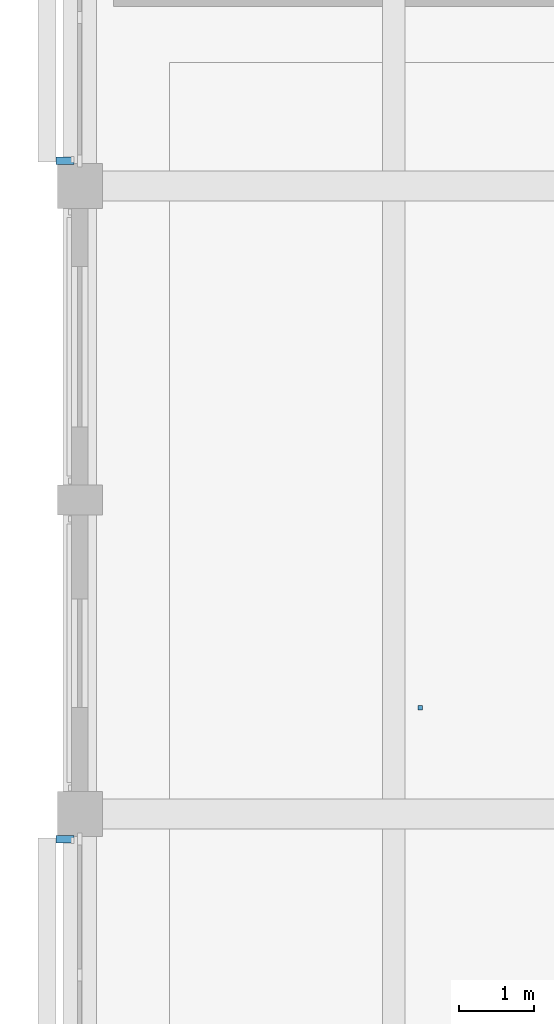
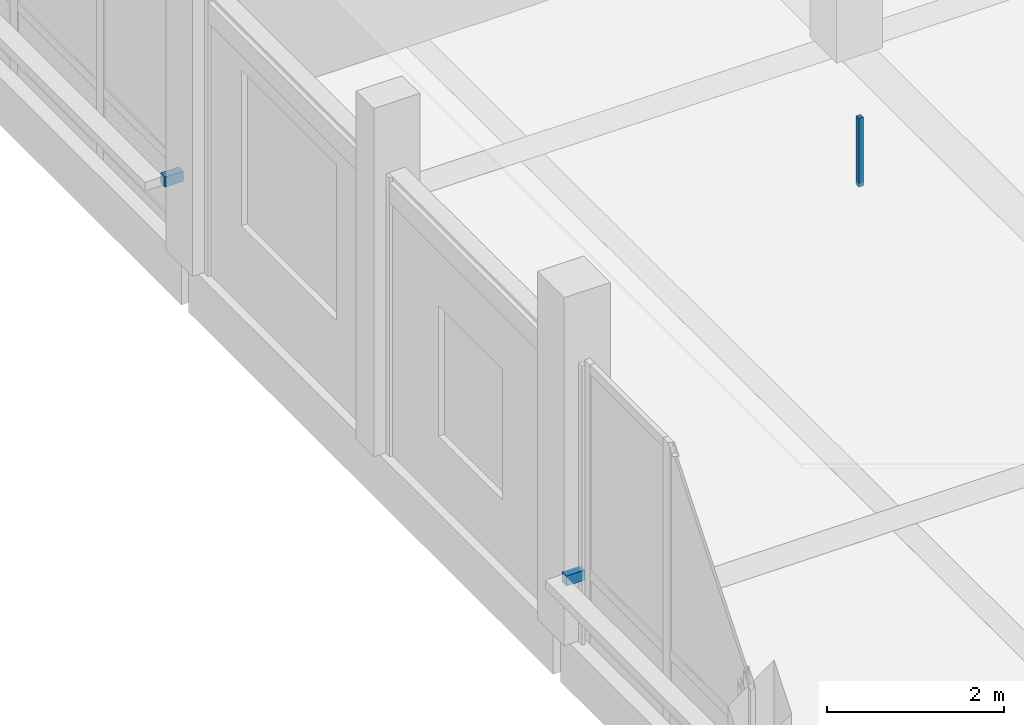
# One storey, part 62 of 122: 3 discrete accessories.
"""IFC4 building model written with IfcOpenShell, lengths in metres."""

from ifc_helpers import new_model, si_unit, direction, frame, origin, origin_2d, place, context, subcontext, project, spatial, rectangle, extrude, material, type_object, element, save


model = new_model("IFC4")

# Units and contexts
model_context = context("Model", 3, precision=1e-05, world=origin(), true_north=direction((0.0, 1.0)))
body_context = subcontext(model_context, "Body", "Model", "MODEL_VIEW")
ifc_project = project(units=[si_unit("LENGTHUNIT", "METRE"), si_unit("AREAUNIT", "SQUARE_METRE"), si_unit("VOLUMEUNIT", "CUBIC_METRE"), si_unit("PLANEANGLEUNIT", "RADIAN"), si_unit("MASSUNIT", "GRAM", prefix="KILO")], contexts=[model_context])

# Site, building, storey
site_placement = place(None, origin())
site = spatial("IfcSite", under=ifc_project, at=site_placement, CompositionType="ELEMENT")
building_placement = place(site_placement, origin())
building = spatial("IfcBuilding", under=site, at=building_placement, Name="Telukmera Botanical Conservatory", CompositionType="ELEMENT")
storey_placement = place(building_placement, frame((0.0, 0.0, 10.199951171875)))
storey = spatial("IfcBuildingStorey", under=building, at=storey_placement, Name="L02", CompositionType="ELEMENT", Elevation=10.199951171875)

# Discrete accessories
ifc_material = material(Name="Steel S355", Category="steel")
discrete_accessory_type_1 = type_object("IfcDiscreteAccessoryType", Name="ACC-CEIL-HGR", PredefinedType="BRACKET", material=ifc_material)
discrete_accessory_placement = place(storey_placement, frame((12.95068359375, 27.425048828125, 3.60986328125), z_axis=(0.0, 0.0, 1.0), x_axis=(1.0, 0.0, 0.0)))
element("IfcDiscreteAccessory", 1, at=discrete_accessory_placement, inside=storey, type_object=discrete_accessory_type_1, Name="L02 Suspended Ceiling Hanger Rod 010-2", PredefinedType="BRACKET", context=body_context, shape_type="SweptSolid", body=[
    extrude(rectangle(XDim=0.06005859375, YDim=0.06005859375, at=origin_2d()), origin(), (0.0, 0.0, 1.0), 0.945068359375),
])
discrete_accessory_type_2 = type_object("IfcDiscreteAccessoryType", Name="Structural Steel Facade Outrigger Fin Bracket", PredefinedType="BRACKET", material=ifc_material)
for number, where, z_axis, x_axis, name in (
    (2, (8.199951171875, 25.66552734375, 0.8798828125), (0.0, 0.0, 1.0), (0.0, 1.0, 0.0), "Facade Outrigger Bracket V3:L02:W1B B"),
    (3, (8.199951171875, 34.734619140625, 0.8798828125), (0.0, 0.0, 1.0), (0.0, 1.0, 0.0), "Facade Outrigger Bracket V3:L02:W3 A"),
):
    element("IfcDiscreteAccessory", number, at=place(storey_placement, frame(where, z_axis=z_axis, x_axis=x_axis)), inside=storey, type_object=discrete_accessory_type_2, Name=name, PredefinedType="BRACKET", context=body_context, shape_type="SweptSolid", body=[
        extrude(rectangle(XDim=0.10009765625, YDim=0.239990234375, at=origin_2d()), origin(), (0.0, 0.0, 1.0), 0.139892578125),
    ])

save(model, "model.ifc")
